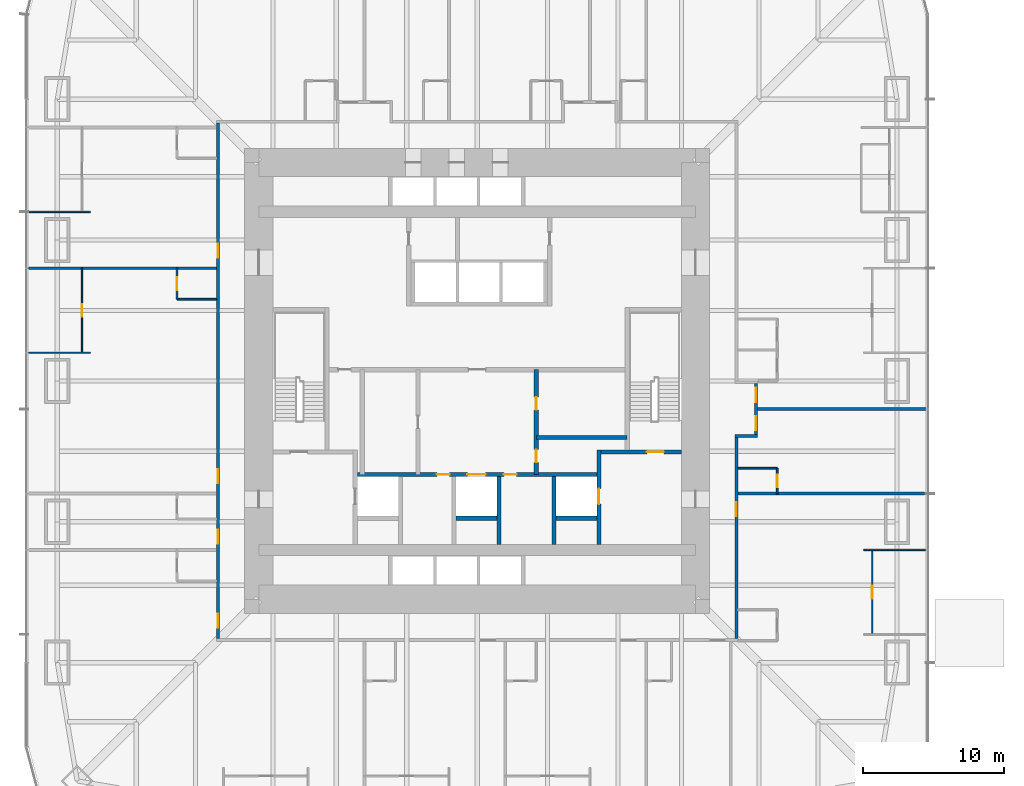
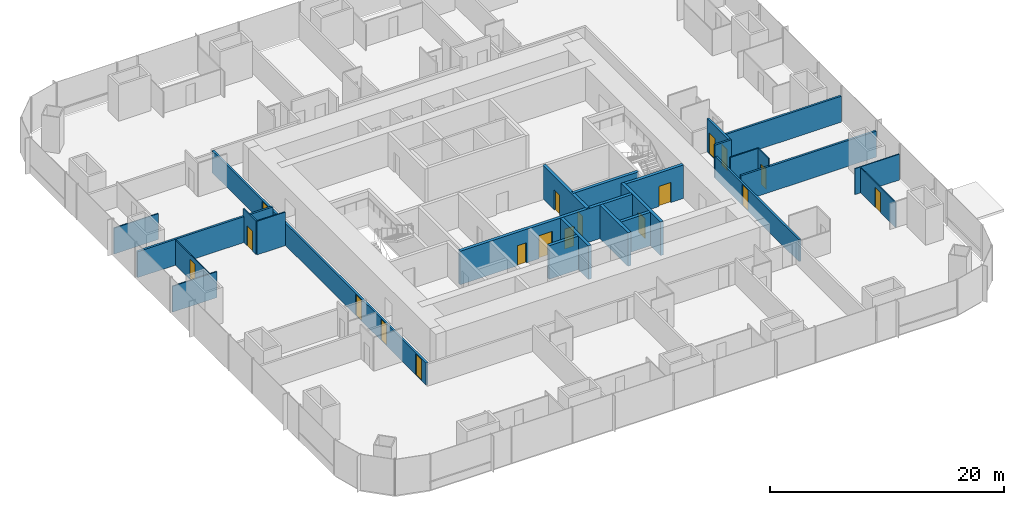
# One storey, part 16 of 20: 25 walls, 18 doors, 18 openings.
"""IFC4 building model written with IfcOpenShell, lengths in metres."""

from ifc_helpers import new_model, si_unit, direction, frame, frame_2d, origin, place, context, subcontext, project, spatial, rectangle, extrude, material, layer, layer_set, type_object, element, fill, save


model = new_model("IFC4")

# Units and contexts
model_context = context("Model", 3, precision=1e-05, world=origin(), true_north=direction((0.0, 1.0)))
body_context = subcontext(model_context, "Body", "Model", "MODEL_VIEW")
ifc_project = project(units=[si_unit("LENGTHUNIT", "METRE"), si_unit("AREAUNIT", "SQUARE_METRE"), si_unit("VOLUMEUNIT", "CUBIC_METRE"), si_unit("PLANEANGLEUNIT", "RADIAN"), si_unit("MASSUNIT", "GRAM", prefix="KILO")], contexts=[model_context])

# Site, building, storey
site_placement = place(None, origin())
site = spatial("IfcSite", under=ifc_project, at=site_placement, CompositionType="ELEMENT")
building_placement = place(site_placement, origin())
building = spatial("IfcBuilding", under=site, at=building_placement, Name="Khuree Lantern Residences", CompositionType="ELEMENT")
storey_placement = place(building_placement, frame((0.0, 0.0, 24.75)))
storey = spatial("IfcBuildingStorey", under=building, at=storey_placement, Name="L05", CompositionType="ELEMENT", Elevation=24.75)

# Wall, opening, door
ifc_material_1 = material(Name="Moisture-resistant gypsum board on steel studs", Category="steel")
ifc_layer_1 = layer(ifc_material_1, 0.125)
ifc_layer_set_1 = layer_set([ifc_layer_1], Name="BATHROOM WALL BTW125")
wall_type_1 = type_object("IfcWallType", Name="BATHROOM WALL BTW125", PredefinedType="PARTITIONING", material=ifc_layer_set_1)
wall_1_placement = place(storey_placement, frame((21.300048828125, -8.0, 0.0), z_axis=(0.0, 0.0, 1.0), x_axis=(0.0, 1.0, 0.0)))
wall_1 = element("IfcWall", 1, at=wall_1_placement, inside=storey, type_object=wall_type_1, Name="L05 BATHROOM WALL 01", PredefinedType="PARTITIONING", context=body_context, shape_type="SweptSolid", body=[
    extrude(rectangle(XDim=1.800048828125, YDim=0.125, at=frame_2d((0.89990234375, 0.0))), origin(), (0.0, 0.0, 1.0), 3.5),
])
opening_1_placement = place(wall_1_placement, frame((0.449951171875, 0.0, 0.0)))
opening_1 = element("IfcOpeningElement", 2, at=opening_1_placement, cuts=wall_1, Name="Opening 05-022", PredefinedType="OPENING", context=body_context, shape_type="SweptSolid", body=[
    extrude(rectangle(XDim=0.89990234375, YDim=2.10009765625, at=frame_2d((0.449951171875, 1.050048828125))), frame((0.0, 0.072509765625, 0.0), z_axis=(0.0, -1.0, 0.0), x_axis=(1.0, 0.0, 0.0)), (0.0, 0.0, 1.0), 0.14501953125),
])
ifc_material_2 = material(Name="Timber door leaf in hardwood frame", Category="wood")
door_type_1 = type_object("IfcDoorType", Name="BATHROOM DOOR 900X2100", OperationType="SINGLE_SWING_LEFT", PredefinedType="DOOR", material=ifc_material_2)
door_1_placement = place(opening_1_placement, origin())
door_1 = element("IfcDoor", 3, at=door_1_placement, inside=storey, type_object=door_type_1, Name="Bathroom door 05-022", OperationType="SINGLE_SWING_LEFT", OverallHeight=2.10009765625, OverallWidth=0.89990234375, PredefinedType="DOOR", context=body_context, shape_type="SweptSolid", body=[
    extrude(rectangle(XDim=0.89990234375, YDim=2.10009765625, at=frame_2d((0.449951171875, 1.050048828125))), frame((0.0, 0.02490234375, 0.0), z_axis=(0.0, -1.0, 0.0), x_axis=(1.0, 0.0, 0.0)), (0.0, 0.0, 1.0), 0.050048828125),
])
fill(opening_1, door_1)

# Wall
wall_2_placement = place(storey_placement, frame((18.5, -6.199951171875, 0.0), z_axis=(0.0, 0.0, 1.0), x_axis=(1.0, 0.0, 0.0)))
element("IfcWall", 4, at=wall_2_placement, inside=storey, type_object=wall_type_1, Name="L05 BATHROOM WALL 01", PredefinedType="PARTITIONING", context=body_context, shape_type="SweptSolid", body=[
    extrude(rectangle(XDim=2.800048828125, YDim=0.125, at=frame_2d((1.39990234375, 0.0))), origin(), (0.0, 0.0, 1.0), 3.5),
])

# Wall, opening, door
wall_3_placement = place(storey_placement, frame((-21.300048828125, 8.0, 0.0), z_axis=(0.0, 0.0, 1.0), x_axis=(0.0, -1.0, 0.0)))
wall_3 = element("IfcWall", 5, at=wall_3_placement, inside=storey, type_object=wall_type_1, Name="L05 BATHROOM WALL 08", PredefinedType="PARTITIONING", context=body_context, shape_type="SweptSolid", body=[
    extrude(rectangle(XDim=2.199951171875, YDim=0.125, at=frame_2d((1.10009765625, 0.0))), origin(), (0.0, 0.0, 1.0), 3.5),
])
opening_2_placement = place(wall_3_placement, frame((0.64990234375, 0.0, 0.0)))
opening_2 = element("IfcOpeningElement", 6, at=opening_2_placement, cuts=wall_3, Name="Opening 05-046", PredefinedType="OPENING", context=body_context, shape_type="SweptSolid", body=[
    extrude(rectangle(XDim=0.89990234375, YDim=2.10009765625, at=frame_2d((0.449951171875, 1.050048828125))), frame((0.0, 0.072509765625, 0.0), z_axis=(0.0, -1.0, 0.0), x_axis=(1.0, 0.0, 0.0)), (0.0, 0.0, 1.0), 0.14501953125),
])
door_2_placement = place(opening_2_placement, origin())
door_2 = element("IfcDoor", 7, at=door_2_placement, inside=storey, type_object=door_type_1, Name="Bathroom door 05-046", OperationType="SINGLE_SWING_LEFT", OverallHeight=2.10009765625, OverallWidth=0.89990234375, PredefinedType="DOOR", context=body_context, shape_type="SweptSolid", body=[
    extrude(rectangle(XDim=0.89990234375, YDim=2.10009765625, at=frame_2d((0.449951171875, 1.050048828125))), frame((0.0, 0.02490234375, 0.0), z_axis=(0.0, -1.0, 0.0), x_axis=(1.0, 0.0, 0.0)), (0.0, 0.0, 1.0), 0.050048828125),
])
fill(opening_2, door_2)

# Wall
wall_4_placement = place(storey_placement, frame((-18.5, 5.800048828125, 0.0), z_axis=(0.0, 0.0, 1.0), x_axis=(-1.0, 0.0, 0.0)))
element("IfcWall", 8, at=wall_4_placement, inside=storey, type_object=wall_type_1, Name="L05 BATHROOM WALL 08", PredefinedType="PARTITIONING", context=body_context, shape_type="SweptSolid", body=[
    extrude(rectangle(XDim=2.800048828125, YDim=0.125, at=frame_2d((1.39990234375, 0.0))), origin(), (0.0, 0.0, 1.0), 3.5),
])

# Wall, opening, door
ifc_material_3 = material(Name="Dense concrete blockwork", Category="masonry")
ifc_layer_2 = layer(ifc_material_3, 0.300048828125)
ifc_layer_set_2 = layer_set([ifc_layer_2], Name="CORE PARTITION WALL CPW300 EI 120")
wall_type_2 = type_object("IfcWallType", Name="CORE PARTITION WALL CPW300 EI 120", PredefinedType="PARTITIONING", material=ifc_layer_set_2)
wall_5_placement = place(storey_placement, frame((8.64990234375, -11.60009765625, 0.0), z_axis=(0.0, 0.0, 1.0), x_axis=(0.0, 1.0, 0.0)))
wall_5 = element("IfcWall", 9, at=wall_5_placement, inside=storey, type_object=wall_type_2, Name="L05 CORE WALL FL2E", PredefinedType="PARTITIONING", context=body_context, shape_type="SweptSolid", body=[
    extrude(rectangle(XDim=6.7001953125, YDim=0.300048828125, at=frame_2d((3.35009765625, 0.0))), origin(), (0.0, 0.0, 1.0), 3.5),
])
opening_3_placement = place(wall_5_placement, frame((2.85009765625, 0.0, 0.0)))
opening_3 = element("IfcOpeningElement", 10, at=opening_3_placement, cuts=wall_5, Name="Opening 05-008", PredefinedType="OPENING", context=body_context, shape_type="SweptSolid", body=[
    extrude(rectangle(XDim=1.10009765625, YDim=2.10009765625, at=frame_2d((0.550048828125, 1.050048828125))), frame((0.0, 0.16015625, 0.0), z_axis=(0.0, -1.0, 0.0), x_axis=(1.0, 0.0, 0.0)), (0.0, 0.0, 1.0), 0.320068359375),
])
ifc_material_4 = material(Name="Stainless steel lift landing door", Category="steel")
door_type_2 = type_object("IfcDoorType", Name="LIFT LANDING DOOR 1100X2100 E 120", OperationType="DOUBLE_DOOR_SLIDING", PredefinedType="DOOR", material=ifc_material_4)
door_3_placement = place(opening_3_placement, origin())
door_3 = element("IfcDoor", 11, at=door_3_placement, inside=storey, type_object=door_type_2, Name="Landing door FL2 05-008", OperationType="DOUBLE_DOOR_SLIDING", OverallHeight=2.10009765625, OverallWidth=1.10009765625, PredefinedType="DOOR", context=body_context, shape_type="SweptSolid", body=[
    extrude(rectangle(XDim=1.10009765625, YDim=2.10009765625, at=frame_2d((0.550048828125, 1.050048828125))), frame((0.0, 0.02490234375, 0.0), z_axis=(0.0, -1.0, 0.0), x_axis=(1.0, 0.0, 0.0)), (0.0, 0.0, 1.0), 0.050048828125),
])
fill(opening_3, door_3)

# Wall, openings, doors
wall_6_placement = place(storey_placement, frame((-8.5, -6.64990234375, 0.0), z_axis=(0.0, 0.0, 1.0), x_axis=(1.0, 0.0, 0.0)))
wall_6 = element("IfcWall", 12, at=wall_6_placement, inside=storey, type_object=wall_type_2, Name="L05 CORE WALL FLROW", PredefinedType="PARTITIONING", context=body_context, shape_type="SweptSolid", body=[
    extrude(rectangle(XDim=17.0, YDim=0.300048828125, at=frame_2d((8.5, 0.0))), origin(), (0.0, 0.0, 1.0), 3.5),
])
opening_4_placement = place(wall_6_placement, frame((7.800048828125, 0.0, 0.0)))
opening_4 = element("IfcOpeningElement", 13, at=opening_4_placement, cuts=wall_6, Name="Opening 05-012", PredefinedType="OPENING", context=body_context, shape_type="SweptSolid", body=[
    extrude(rectangle(XDim=1.300048828125, YDim=2.39990234375, at=frame_2d((0.64990234375, 1.199951171875))), frame((0.0, 0.16015625, 0.0), z_axis=(0.0, -1.0, 0.0), x_axis=(1.0, 0.0, 0.0)), (0.0, 0.0, 1.0), 0.320068359375),
])
opening_5_placement = place(wall_6_placement, frame((5.64990234375, 0.0, 0.0)))
opening_5 = element("IfcOpeningElement", 14, at=opening_5_placement, cuts=wall_6, Name="Opening 05-014", PredefinedType="OPENING", context=body_context, shape_type="SweptSolid", body=[
    extrude(rectangle(XDim=0.89990234375, YDim=2.10009765625, at=frame_2d((0.449951171875, 1.050048828125))), frame((0.0, 0.16015625, 0.0), z_axis=(0.0, -1.0, 0.0), x_axis=(1.0, 0.0, 0.0)), (0.0, 0.0, 1.0), 0.320068359375),
])
opening_6_placement = place(wall_6_placement, frame((10.39990234375, 0.0, 0.0)))
opening_6 = element("IfcOpeningElement", 15, at=opening_6_placement, cuts=wall_6, Name="Opening 05-015", PredefinedType="OPENING", context=body_context, shape_type="SweptSolid", body=[
    extrude(rectangle(XDim=0.89990234375, YDim=2.10009765625, at=frame_2d((0.449951171875, 1.050048828125))), frame((0.0, 0.16015625, 0.0), z_axis=(0.0, -1.0, 0.0), x_axis=(1.0, 0.0, 0.0)), (0.0, 0.0, 1.0), 0.320068359375),
])
ifc_material_5 = material(Name="Steel door leaf in steel frame", Category="steel")
door_type_3 = type_object("IfcDoorType", Name="DOOR 900X2100 EI 60", OperationType="SINGLE_SWING_LEFT", PredefinedType="DOOR", material=ifc_material_5)
door_4_placement = place(opening_5_placement, origin())
door_4 = element("IfcDoor", 16, at=door_4_placement, inside=storey, type_object=door_type_3, Name="Refuse chute room door 05-014", OperationType="SINGLE_SWING_LEFT", OverallHeight=2.10009765625, OverallWidth=0.89990234375, PredefinedType="DOOR", context=body_context, shape_type="SweptSolid", body=[
    extrude(rectangle(XDim=0.89990234375, YDim=2.10009765625, at=frame_2d((0.449951171875, 1.050048828125))), frame((0.0, 0.02490234375, 0.0), z_axis=(0.0, -1.0, 0.0), x_axis=(1.0, 0.0, 0.0)), (0.0, 0.0, 1.0), 0.050048828125),
])
fill(opening_5, door_4)
door_type_4 = type_object("IfcDoorType", Name="DOOR 900X2100 EI 60 RIGHT HAND", OperationType="SINGLE_SWING_RIGHT", PredefinedType="DOOR", material=ifc_material_5)
door_5_placement = place(opening_6_placement, origin())
door_5 = element("IfcDoor", 17, at=door_5_placement, inside=storey, type_object=door_type_4, Name="Electrical and plumbing riser door 05-015", OperationType="SINGLE_SWING_RIGHT", OverallHeight=2.10009765625, OverallWidth=0.89990234375, PredefinedType="DOOR", context=body_context, shape_type="SweptSolid", body=[
    extrude(rectangle(XDim=0.89990234375, YDim=2.10009765625, at=frame_2d((0.449951171875, 1.050048828125))), frame((0.0, 0.02490234375, 0.0), z_axis=(0.0, -1.0, 0.0), x_axis=(1.0, 0.0, 0.0)), (0.0, 0.0, 1.0), 0.050048828125),
])
fill(opening_6, door_5)
door_type_5 = type_object("IfcDoorType", Name="LIFT LANDING DOOR 1300X2400 E 60", OperationType="DOUBLE_DOOR_SLIDING", PredefinedType="DOOR", material=ifc_material_4)
door_6_placement = place(opening_4_placement, origin())
door_6 = element("IfcDoor", 18, at=door_6_placement, inside=storey, type_object=door_type_5, Name="Landing door SL1 05-012", OperationType="DOUBLE_DOOR_SLIDING", OverallHeight=2.39990234375, OverallWidth=1.300048828125, PredefinedType="DOOR", context=body_context, shape_type="SweptSolid", body=[
    extrude(rectangle(XDim=1.300048828125, YDim=2.39990234375, at=frame_2d((0.64990234375, 1.199951171875))), frame((0.0, 0.02490234375, 0.0), z_axis=(0.0, -1.0, 0.0), x_axis=(1.0, 0.0, 0.0)), (0.0, 0.0, 1.0), 0.050048828125),
])
fill(opening_4, door_6)

# Walls
for number, where, z_axis, x_axis, name in (
    (19, (1.550048828125, -11.60009765625, 0.0), (0.0, 0.0, 1.0), (0.0, 1.0, 0.0), "L05 CORE WALL SL1E"),
    (20, (5.449951171875, -11.60009765625, 0.0), (0.0, 0.0, 1.0), (0.0, 1.0, 0.0), "L05 CORE WALL FL2W"),
):
    element("IfcWall", number, at=place(storey_placement, frame(where, z_axis=z_axis, x_axis=x_axis)), inside=storey, type_object=wall_type_2, Name=name, PredefinedType="PARTITIONING", context=body_context, shape_type="SweptSolid", body=[
        extrude(rectangle(XDim=4.800048828125, YDim=0.300048828125, at=frame_2d((2.39990234375, 0.0))), origin(), (0.0, 0.0, 1.0), 3.5),
    ])
for number, where, z_axis, x_axis, name in (
    (21, (-1.5, -9.75, 0.0), (0.0, 0.0, 1.0), (1.0, 0.0, 0.0), "L05 CORE WALL SL1S"),
    (22, (5.60009765625, -9.75, 0.0), (0.0, 0.0, 1.0), (1.0, 0.0, 0.0), "L05 CORE WALL FL2S"),
):
    element("IfcWall", number, at=place(storey_placement, frame(where, z_axis=z_axis, x_axis=x_axis)), inside=storey, type_object=wall_type_2, Name=name, PredefinedType="PARTITIONING", context=body_context, shape_type="SweptSolid", body=[
        extrude(rectangle(XDim=2.89990234375, YDim=0.300048828125, at=frame_2d((1.449951171875, 0.0))), origin(), (0.0, 0.0, 1.0), 3.5),
    ])

# Wall, openings, doors
wall_7_placement = place(storey_placement, frame((4.199951171875, -6.64990234375, 0.0), z_axis=(0.0, 0.0, 1.0), x_axis=(0.0, 1.0, 0.0)))
wall_7 = element("IfcWall", 23, at=wall_7_placement, inside=storey, type_object=wall_type_2, Name="L05 CORE WALL SVE", PredefinedType="PARTITIONING", context=body_context, shape_type="SweptSolid", body=[
    extrude(rectangle(XDim=7.449951171875, YDim=0.300048828125, at=frame_2d((3.72509765625, 0.0))), origin(), (0.0, 0.0, 1.0), 3.5),
])
opening_7_placement = place(wall_7_placement, frame((0.865966796875, 0.0, 0.0)))
opening_7 = element("IfcOpeningElement", 24, at=opening_7_placement, cuts=wall_7, Name="Opening 05-018", PredefinedType="OPENING", context=body_context, shape_type="SweptSolid", body=[
    extrude(rectangle(XDim=0.89990234375, YDim=2.10009765625, at=frame_2d((0.449951171875, 1.050048828125))), frame((0.0, 0.16015625, 0.0), z_axis=(0.0, -1.0, 0.0), x_axis=(1.0, 0.0, 0.0)), (0.0, 0.0, 1.0), 0.320068359375),
])
opening_8_placement = place(wall_7_placement, frame((4.591064453125, 0.0, 0.0)))
opening_8 = element("IfcOpeningElement", 25, at=opening_8_placement, cuts=wall_7, Name="Opening 05-019", PredefinedType="OPENING", context=body_context, shape_type="SweptSolid", body=[
    extrude(rectangle(XDim=0.89990234375, YDim=2.10009765625, at=frame_2d((0.449951171875, 1.050048828125))), frame((0.0, 0.16015625, 0.0), z_axis=(0.0, -1.0, 0.0), x_axis=(1.0, 0.0, 0.0)), (0.0, 0.0, 1.0), 0.320068359375),
])
door_type_6 = type_object("IfcDoorType", Name="DOOR 900X2100", OperationType="SINGLE_SWING_LEFT", PredefinedType="DOOR", material=ifc_material_2)
door_7_placement = place(opening_7_placement, origin())
door_7 = element("IfcDoor", 26, at=door_7_placement, inside=storey, type_object=door_type_6, Name="IT room door 05-018", OperationType="SINGLE_SWING_LEFT", OverallHeight=2.10009765625, OverallWidth=0.89990234375, PredefinedType="DOOR", context=body_context, shape_type="SweptSolid", body=[
    extrude(rectangle(XDim=0.89990234375, YDim=2.10009765625, at=frame_2d((0.449951171875, 1.050048828125))), frame((0.0, 0.02490234375, 0.0), z_axis=(0.0, -1.0, 0.0), x_axis=(1.0, 0.0, 0.0)), (0.0, 0.0, 1.0), 0.050048828125),
])
fill(opening_7, door_7)
door_type_7 = type_object("IfcDoorType", Name="DOOR 900X2100 RIGHT HAND", OperationType="SINGLE_SWING_RIGHT", PredefinedType="DOOR", material=ifc_material_2)
door_8_placement = place(opening_8_placement, origin())
door_8 = element("IfcDoor", 27, at=door_8_placement, inside=storey, type_object=door_type_7, Name="Residents' store door 05-019", OperationType="SINGLE_SWING_RIGHT", OverallHeight=2.10009765625, OverallWidth=0.89990234375, PredefinedType="DOOR", context=body_context, shape_type="SweptSolid", body=[
    extrude(rectangle(XDim=0.89990234375, YDim=2.10009765625, at=frame_2d((0.449951171875, 1.050048828125))), frame((0.0, 0.02490234375, 0.0), z_axis=(0.0, -1.0, 0.0), x_axis=(1.0, 0.0, 0.0)), (0.0, 0.0, 1.0), 0.050048828125),
])
fill(opening_8, door_8)

# Wall
wall_8_placement = place(storey_placement, frame((10.64990234375, -4.01806640625, 0.0), z_axis=(0.0, 0.0, 1.0), x_axis=(-1.0, 0.0, 0.0)))
element("IfcWall", 28, at=wall_8_placement, inside=storey, type_object=wall_type_2, Name="L05 CORE WALL EX", PredefinedType="PARTITIONING", context=body_context, shape_type="SweptSolid", body=[
    extrude(rectangle(XDim=6.449951171875, YDim=0.300048828125, at=frame_2d((3.22509765625, 0.0))), origin(), (0.0, 0.0, 1.0), 3.5),
])

# Wall, opening, door
ifc_material_6 = material(Name="Gypsum board on steel studs", Category="steel")
ifc_layer_3 = layer(ifc_material_6, 0.199951171875)
ifc_layer_set_3 = layer_set([ifc_layer_3], Name="CORRIDOR WALL CRW200 EI 60")
wall_type_3 = type_object("IfcWallType", Name="CORRIDOR WALL CRW200 EI 60", PredefinedType="PARTITIONING", material=ifc_layer_set_3)
wall_9_placement = place(storey_placement, frame((18.39990234375, -18.300048828125, 0.0), z_axis=(0.0, 0.0, 1.0), x_axis=(0.0, 1.0, 0.0)))
wall_9 = element("IfcWall", 29, at=wall_9_placement, inside=storey, type_object=wall_type_3, Name="L05 CORRIDOR WALL EAST 1", PredefinedType="PARTITIONING", context=body_context, shape_type="SweptSolid", body=[
    extrude(rectangle(XDim=14.300048828125, YDim=0.199951171875, at=frame_2d((7.14990234375, 0.0))), origin(), (0.0, 0.0, 1.0), 2.300048828125),
])
opening_9_placement = place(wall_9_placement, frame((8.699951171875, 0.0, 0.0)))
opening_9 = element("IfcOpeningElement", 30, at=opening_9_placement, cuts=wall_9, Name="Opening 05-063", PredefinedType="OPENING", context=body_context, shape_type="SweptSolid", body=[
    extrude(rectangle(XDim=1.0, YDim=2.199951171875, at=frame_2d((0.5, 1.10009765625))), frame((0.0, 0.10986328125, 0.0), z_axis=(0.0, -1.0, 0.0), x_axis=(1.0, 0.0, 0.0)), (0.0, 0.0, 1.0), 0.219970703125),
])
door_type_8 = type_object("IfcDoorType", Name="APARTMENT ENTRANCE DOOR 1000X2200 EI 30S", OperationType="SINGLE_SWING_LEFT", PredefinedType="DOOR", material=ifc_material_2)
door_9_placement = place(opening_9_placement, origin())
door_9 = element("IfcDoor", 31, at=door_9_placement, inside=storey, type_object=door_type_8, Name="Apartment 14 entrance door 05-063", OperationType="SINGLE_SWING_LEFT", OverallHeight=2.199951171875, OverallWidth=1.0, PredefinedType="DOOR", context=body_context, shape_type="SweptSolid", body=[
    extrude(rectangle(XDim=1.0, YDim=2.199951171875, at=frame_2d((0.5, 1.10009765625))), frame((0.0, 0.02490234375, 0.0), z_axis=(0.0, -1.0, 0.0), x_axis=(1.0, 0.0, 0.0)), (0.0, 0.0, 1.0), 0.050048828125),
])
fill(opening_9, door_9)

# Wall
wall_10_placement = place(storey_placement, frame((18.300048828125, -3.89990234375, 0.0), z_axis=(0.0, 0.0, 1.0), x_axis=(1.0, 0.0, 0.0)))
element("IfcWall", 32, at=wall_10_placement, inside=storey, type_object=wall_type_3, Name="L05 CORRIDOR ALCOVE WALL EAST", PredefinedType="PARTITIONING", context=body_context, shape_type="SweptSolid", body=[
    extrude(rectangle(XDim=1.599853515625, YDim=0.199951171875, at=frame_2d((0.7998046875, 0.0))), origin(), (0.0, 0.0, 1.0), 3.5),
])

# Wall, openings, doors
wall_11_placement = place(storey_placement, frame((19.800048828125, -3.800048828125, 0.0), z_axis=(0.0, 0.0, 1.0), x_axis=(0.0, 1.0, 0.0)))
wall_11 = element("IfcWall", 33, at=wall_11_placement, inside=storey, type_object=wall_type_3, Name="L05 CORRIDOR ALCOVE WALL EAST", PredefinedType="PARTITIONING", context=body_context, shape_type="SweptSolid", body=[
    extrude(rectangle(XDim=3.60009765625, YDim=0.199951171875, at=frame_2d((1.800048828125, 0.0))), origin(), (0.0, 0.0, 1.0), 3.5),
])
opening_10_placement = place(wall_11_placement, frame((0.300048828125, 0.0, 0.0)))
opening_10 = element("IfcOpeningElement", 34, at=opening_10_placement, cuts=wall_11, Name="Opening 05-023", PredefinedType="OPENING", context=body_context, shape_type="SweptSolid", body=[
    extrude(rectangle(XDim=1.0, YDim=2.199951171875, at=frame_2d((0.5, 1.10009765625))), frame((0.0, 0.10986328125, 0.0), z_axis=(0.0, -1.0, 0.0), x_axis=(1.0, 0.0, 0.0)), (0.0, 0.0, 1.0), 0.219970703125),
])
opening_11_placement = place(wall_11_placement, frame((2.300048828125, 0.0, 0.0)))
opening_11 = element("IfcOpeningElement", 35, at=opening_11_placement, cuts=wall_11, Name="Opening 05-031", PredefinedType="OPENING", context=body_context, shape_type="SweptSolid", body=[
    extrude(rectangle(XDim=1.0, YDim=2.199951171875, at=frame_2d((0.5, 1.10009765625))), frame((0.0, 0.10986328125, 0.0), z_axis=(0.0, -1.0, 0.0), x_axis=(1.0, 0.0, 0.0)), (0.0, 0.0, 1.0), 0.219970703125),
])
door_10_placement = place(opening_10_placement, origin())
door_10 = element("IfcDoor", 36, at=door_10_placement, inside=storey, type_object=door_type_8, Name="Apartment 01 entrance door 05-023", OperationType="SINGLE_SWING_LEFT", OverallHeight=2.199951171875, OverallWidth=1.0, PredefinedType="DOOR", context=body_context, shape_type="SweptSolid", body=[
    extrude(rectangle(XDim=1.0, YDim=2.199951171875, at=frame_2d((0.5, 1.10009765625))), frame((0.0, 0.02490234375, 0.0), z_axis=(0.0, -1.0, 0.0), x_axis=(1.0, 0.0, 0.0)), (0.0, 0.0, 1.0), 0.050048828125),
])
fill(opening_10, door_10)
door_type_9 = type_object("IfcDoorType", Name="APARTMENT ENTRANCE DOOR 1000X2200 EI 30S RIGHT HAND", OperationType="SINGLE_SWING_RIGHT", PredefinedType="DOOR", material=ifc_material_2)
door_11_placement = place(opening_11_placement, origin())
door_11 = element("IfcDoor", 37, at=door_11_placement, inside=storey, type_object=door_type_9, Name="Apartment 02 entrance door 05-031", OperationType="SINGLE_SWING_RIGHT", OverallHeight=2.199951171875, OverallWidth=1.0, PredefinedType="DOOR", context=body_context, shape_type="SweptSolid", body=[
    extrude(rectangle(XDim=1.0, YDim=2.199951171875, at=frame_2d((0.5, 1.10009765625))), frame((0.0, 0.02490234375, 0.0), z_axis=(0.0, -1.0, 0.0), x_axis=(1.0, 0.0, 0.0)), (0.0, 0.0, 1.0), 0.050048828125),
])
fill(opening_11, door_11)

wall_12_placement = place(storey_placement, frame((-18.39990234375, 18.300048828125, 0.0), z_axis=(0.0, 0.0, 1.0), x_axis=(0.0, -1.0, 0.0)))
wall_12 = element("IfcWall", 38, at=wall_12_placement, inside=storey, type_object=wall_type_3, Name="L05 CORRIDOR WALL WEST 1", PredefinedType="PARTITIONING", context=body_context, shape_type="SweptSolid", body=[
    extrude(rectangle(XDim=36.60009765625, YDim=0.199951171875, at=frame_2d((18.300048828125, 0.0))), origin(), (0.0, 0.0, 1.0), 2.300048828125),
])
opening_12_placement = place(wall_12_placement, frame((8.570068359375, 0.0, 0.0)))
opening_12 = element("IfcOpeningElement", 39, at=opening_12_placement, cuts=wall_12, Name="Opening 05-044", PredefinedType="OPENING", context=body_context, shape_type="SweptSolid", body=[
    extrude(rectangle(XDim=1.0, YDim=2.199951171875, at=frame_2d((0.5, 1.10009765625))), frame((0.0, 0.10986328125, 0.0), z_axis=(0.0, -1.0, 0.0), x_axis=(1.0, 0.0, 0.0)), (0.0, 0.0, 1.0), 0.219970703125),
])
opening_13_placement = place(wall_12_placement, frame((24.570068359375, 0.0, 0.0)))
opening_13 = element("IfcOpeningElement", 40, at=opening_13_placement, cuts=wall_12, Name="Opening 05-047", PredefinedType="OPENING", context=body_context, shape_type="SweptSolid", body=[
    extrude(rectangle(XDim=1.0, YDim=2.199951171875, at=frame_2d((0.5, 1.10009765625))), frame((0.0, 0.10986328125, 0.0), z_axis=(0.0, -1.0, 0.0), x_axis=(1.0, 0.0, 0.0)), (0.0, 0.0, 1.0), 0.219970703125),
])
opening_14_placement = place(wall_12_placement, frame((28.8701171875, 0.0, 0.0)))
opening_14 = element("IfcOpeningElement", 41, at=opening_14_placement, cuts=wall_12, Name="Opening 05-049", PredefinedType="OPENING", context=body_context, shape_type="SweptSolid", body=[
    extrude(rectangle(XDim=1.0, YDim=2.199951171875, at=frame_2d((0.5, 1.10009765625))), frame((0.0, 0.10986328125, 0.0), z_axis=(0.0, -1.0, 0.0), x_axis=(1.0, 0.0, 0.0)), (0.0, 0.0, 1.0), 0.219970703125),
])
opening_15_placement = place(wall_12_placement, frame((34.820068359375, 0.0, 0.0)))
opening_15 = element("IfcOpeningElement", 42, at=opening_15_placement, cuts=wall_12, Name="Opening 05-052", PredefinedType="OPENING", context=body_context, shape_type="SweptSolid", body=[
    extrude(rectangle(XDim=1.0, YDim=2.199951171875, at=frame_2d((0.5, 1.10009765625))), frame((0.0, 0.10986328125, 0.0), z_axis=(0.0, -1.0, 0.0), x_axis=(1.0, 0.0, 0.0)), (0.0, 0.0, 1.0), 0.219970703125),
])
door_12_placement = place(opening_12_placement, origin())
door_12 = element("IfcDoor", 43, at=door_12_placement, inside=storey, type_object=door_type_8, Name="Apartment 07 entrance door 05-044", OperationType="SINGLE_SWING_LEFT", OverallHeight=2.199951171875, OverallWidth=1.0, PredefinedType="DOOR", context=body_context, shape_type="SweptSolid", body=[
    extrude(rectangle(XDim=1.0, YDim=2.199951171875, at=frame_2d((0.5, 1.10009765625))), frame((0.0, 0.02490234375, 0.0), z_axis=(0.0, -1.0, 0.0), x_axis=(1.0, 0.0, 0.0)), (0.0, 0.0, 1.0), 0.050048828125),
])
fill(opening_12, door_12)
door_13_placement = place(opening_13_placement, origin())
door_13 = element("IfcDoor", 44, at=door_13_placement, inside=storey, type_object=door_type_8, Name="Apartment 08 entrance door 05-047", OperationType="SINGLE_SWING_LEFT", OverallHeight=2.199951171875, OverallWidth=1.0, PredefinedType="DOOR", context=body_context, shape_type="SweptSolid", body=[
    extrude(rectangle(XDim=1.0, YDim=2.199951171875, at=frame_2d((0.5, 1.10009765625))), frame((0.0, 0.02490234375, 0.0), z_axis=(0.0, -1.0, 0.0), x_axis=(1.0, 0.0, 0.0)), (0.0, 0.0, 1.0), 0.050048828125),
])
fill(opening_13, door_13)
door_14_placement = place(opening_14_placement, origin())
door_14 = element("IfcDoor", 45, at=door_14_placement, inside=storey, type_object=door_type_8, Name="Apartment 09 entrance door 05-049", OperationType="SINGLE_SWING_LEFT", OverallHeight=2.199951171875, OverallWidth=1.0, PredefinedType="DOOR", context=body_context, shape_type="SweptSolid", body=[
    extrude(rectangle(XDim=1.0, YDim=2.199951171875, at=frame_2d((0.5, 1.10009765625))), frame((0.0, 0.02490234375, 0.0), z_axis=(0.0, -1.0, 0.0), x_axis=(1.0, 0.0, 0.0)), (0.0, 0.0, 1.0), 0.050048828125),
])
fill(opening_14, door_14)
door_15_placement = place(opening_15_placement, origin())
door_15 = element("IfcDoor", 46, at=door_15_placement, inside=storey, type_object=door_type_9, Name="Apartment 10 entrance door 05-052", OperationType="SINGLE_SWING_RIGHT", OverallHeight=2.199951171875, OverallWidth=1.0, PredefinedType="DOOR", context=body_context, shape_type="SweptSolid", body=[
    extrude(rectangle(XDim=1.0, YDim=2.199951171875, at=frame_2d((0.5, 1.10009765625))), frame((0.0, 0.02490234375, 0.0), z_axis=(0.0, -1.0, 0.0), x_axis=(1.0, 0.0, 0.0)), (0.0, 0.0, 1.0), 0.050048828125),
])
fill(opening_15, door_15)

# Walls
ifc_layer_4 = layer(ifc_material_6, 0.199951171875)
ifc_layer_set_4 = layer_set([ifc_layer_4], Name="DEMISING WALL DMW200 EI 90")
wall_type_4 = type_object("IfcWallType", Name="DEMISING WALL DMW200 EI 90", PredefinedType="PARTITIONING", material=ifc_layer_set_4)
wall_13_placement = place(storey_placement, frame((18.5, -8.0, 0.0), z_axis=(0.0, 0.0, 1.0), x_axis=(1.0, 0.0, 0.0)))
element("IfcWall", 47, at=wall_13_placement, inside=storey, type_object=wall_type_4, Name="L05 DEMISING WALL 01", PredefinedType="PARTITIONING", context=body_context, shape_type="SweptSolid", body=[
    extrude(rectangle(XDim=13.35009765625, YDim=0.199951171875, at=frame_2d((6.675048828125, 0.0))), origin(), (0.0, 0.0, 1.0), 2.7099609375),
])
wall_14_placement = place(storey_placement, frame((19.89990234375, -2.0, 0.0), z_axis=(0.0, 0.0, 1.0), x_axis=(1.0, 0.0, 0.0)))
element("IfcWall", 48, at=wall_14_placement, inside=storey, type_object=wall_type_4, Name="L05 DEMISING WALL 02", PredefinedType="PARTITIONING", context=body_context, shape_type="SweptSolid", body=[
    extrude(rectangle(XDim=11.9501953125, YDim=0.199951171875, at=frame_2d((5.97509765625, 0.0))), origin(), (0.0, 0.0, 1.0), 2.7099609375),
])
wall_15_placement = place(storey_placement, frame((-18.5, 8.0, 0.0), z_axis=(0.0, 0.0, 1.0), x_axis=(-1.0, 0.0, 0.0)))
element("IfcWall", 49, at=wall_15_placement, inside=storey, type_object=wall_type_4, Name="L05 DEMISING WALL 08", PredefinedType="PARTITIONING", context=body_context, shape_type="SweptSolid", body=[
    extrude(rectangle(XDim=13.35009765625, YDim=0.199951171875, at=frame_2d((6.675048828125, 0.0))), origin(), (0.0, 0.0, 1.0), 2.7099609375),
])
ifc_layer_5 = layer(ifc_material_6, 0.10009765625)
ifc_layer_set_5 = layer_set([ifc_layer_5], Name="PARTITION PT100")
wall_type_5 = type_object("IfcWallType", Name="PARTITION PT100", PredefinedType="PARTITIONING", material=ifc_layer_set_5)
for number, where, z_axis, x_axis, name in (
    (50, (-27.449951171875, 12.0, 0.0), (0.0, 0.0, 1.0), (-1.0, 0.0, 0.0), "L05 PARTITION 07"),
    (51, (-27.449951171875, 2.0, 0.0), (0.0, 0.0, 1.0), (-1.0, 0.0, 0.0), "L05 PARTITION 08"),
    (52, (27.449951171875, -12.0, 0.0), (0.0, 0.0, 1.0), (1.0, 0.0, 0.0), "L05 PARTITION 14"),
):
    element("IfcWall", number, at=place(storey_placement, frame(where, z_axis=z_axis, x_axis=x_axis)), inside=storey, type_object=wall_type_5, Name=name, PredefinedType="PARTITIONING", context=body_context, shape_type="SweptSolid", body=[
        extrude(rectangle(XDim=4.400146484375, YDim=0.10009765625, at=frame_2d((2.2001953125, 0.0))), origin(), (0.0, 0.0, 1.0), 2.7099609375),
    ])

# Wall, opening, door
wall_16_placement = place(storey_placement, frame((-28.050048828125, 8.0, 0.0), z_axis=(0.0, 0.0, 1.0), x_axis=(0.0, -1.0, 0.0)))
wall_16 = element("IfcWall", 53, at=wall_16_placement, inside=storey, type_object=wall_type_5, Name="L05 PARTITION 08", PredefinedType="PARTITIONING", context=body_context, shape_type="SweptSolid", body=[
    extrude(rectangle(XDim=6.0, YDim=0.10009765625, at=frame_2d((3.0, 0.0))), origin(), (0.0, 0.0, 1.0), 2.610107421875),
])
opening_16_placement = place(wall_16_placement, frame((2.550048828125, 0.0, 0.0)))
opening_16 = element("IfcOpeningElement", 54, at=opening_16_placement, cuts=wall_16, Name="Opening 05-045", PredefinedType="OPENING", context=body_context, shape_type="SweptSolid", body=[
    extrude(rectangle(XDim=0.89990234375, YDim=2.10009765625, at=frame_2d((0.449951171875, 1.050048828125))), frame((0.0, 0.06005859375, 0.0), z_axis=(0.0, -1.0, 0.0), x_axis=(1.0, 0.0, 0.0)), (0.0, 0.0, 1.0), 0.1201171875),
])
door_type_10 = type_object("IfcDoorType", Name="BEDROOM DOOR 900X2100", OperationType="SINGLE_SWING_LEFT", PredefinedType="DOOR", material=ifc_material_2)
door_16_placement = place(opening_16_placement, origin())
door_16 = element("IfcDoor", 55, at=door_16_placement, inside=storey, type_object=door_type_10, Name="Bedroom door 05-045", OperationType="SINGLE_SWING_LEFT", OverallHeight=2.10009765625, OverallWidth=0.89990234375, PredefinedType="DOOR", context=body_context, shape_type="SweptSolid", body=[
    extrude(rectangle(XDim=0.89990234375, YDim=2.10009765625, at=frame_2d((0.449951171875, 1.050048828125))), frame((0.0, 0.02490234375, 0.0), z_axis=(0.0, -1.0, 0.0), x_axis=(1.0, 0.0, 0.0)), (0.0, 0.0, 1.0), 0.050048828125),
])
fill(opening_16, door_16)

wall_17_placement = place(storey_placement, frame((28.050048828125, -18.0, 0.0), z_axis=(0.0, 0.0, 1.0), x_axis=(0.0, 1.0, 0.0)))
wall_17 = element("IfcWall", 56, at=wall_17_placement, inside=storey, type_object=wall_type_5, Name="L05 PARTITION 14", PredefinedType="PARTITIONING", context=body_context, shape_type="SweptSolid", body=[
    extrude(rectangle(XDim=6.0, YDim=0.10009765625, at=frame_2d((3.0, 0.0))), origin(), (0.0, 0.0, 1.0), 2.610107421875),
])
opening_17_placement = place(wall_17_placement, frame((2.550048828125, 0.0, 0.0)))
opening_17 = element("IfcOpeningElement", 57, at=opening_17_placement, cuts=wall_17, Name="Opening 05-061", PredefinedType="OPENING", context=body_context, shape_type="SweptSolid", body=[
    extrude(rectangle(XDim=0.89990234375, YDim=2.10009765625, at=frame_2d((0.449951171875, 1.050048828125))), frame((0.0, 0.06005859375, 0.0), z_axis=(0.0, -1.0, 0.0), x_axis=(1.0, 0.0, 0.0)), (0.0, 0.0, 1.0), 0.1201171875),
])
door_17_placement = place(opening_17_placement, origin())
door_17 = element("IfcDoor", 58, at=door_17_placement, inside=storey, type_object=door_type_10, Name="Bedroom door 05-061", OperationType="SINGLE_SWING_LEFT", OverallHeight=2.10009765625, OverallWidth=0.89990234375, PredefinedType="DOOR", context=body_context, shape_type="SweptSolid", body=[
    extrude(rectangle(XDim=0.89990234375, YDim=2.10009765625, at=frame_2d((0.449951171875, 1.050048828125))), frame((0.0, 0.02490234375, 0.0), z_axis=(0.0, -1.0, 0.0), x_axis=(1.0, 0.0, 0.0)), (0.0, 0.0, 1.0), 0.050048828125),
])
fill(opening_17, door_17)

ifc_material_7 = material(Name="Concrete C50/60", Category="concrete")
ifc_layer_6 = layer(ifc_material_7, 0.300048828125)
ifc_layer_set_6 = layer_set([ifc_layer_6], Name="STAIR WALL SRW300 C50/60 REI 240")
wall_type_6 = type_object("IfcWallType", Name="STAIR WALL SRW300 C50/60 REI 240", PredefinedType="SOLIDWALL", material=ifc_layer_set_6)
wall_18_placement = place(storey_placement, frame((14.5, -5.050048828125, 0.0), z_axis=(0.0, 0.0, 1.0), x_axis=(-1.0, 0.0, 0.0)))
wall_18 = element("IfcWall", 59, at=wall_18_placement, inside=storey, type_object=wall_type_6, Name="L05 STAIR WALL ST2S", PredefinedType="SOLIDWALL", context=body_context, shape_type="SweptSolid", body=[
    extrude(rectangle(XDim=5.699951171875, YDim=0.300048828125, at=frame_2d((2.85009765625, 0.0))), origin(), (0.0, 0.0, 1.0), 3.5),
])
opening_18_placement = place(wall_18_placement, frame((1.25, 0.0, 0.0)))
opening_18 = element("IfcOpeningElement", 60, at=opening_18_placement, cuts=wall_18, Name="Opening 05-004", PredefinedType="OPENING", context=body_context, shape_type="SweptSolid", body=[
    extrude(rectangle(XDim=1.199951171875, YDim=2.10009765625, at=frame_2d((0.60009765625, 1.050048828125))), frame((0.0, 0.16015625, 0.0), z_axis=(0.0, -1.0, 0.0), x_axis=(1.0, 0.0, 0.0)), (0.0, 0.0, 1.0), 0.320068359375),
])
door_type_11 = type_object("IfcDoorType", Name="STAIR DOOR 1200X2100 EI 120", OperationType="SINGLE_SWING_LEFT", PredefinedType="DOOR", material=ifc_material_5)
door_18_placement = place(opening_18_placement, origin())
door_18 = element("IfcDoor", 61, at=door_18_placement, inside=storey, type_object=door_type_11, Name="Stair ST2 door 05-004", OperationType="SINGLE_SWING_LEFT", OverallHeight=2.10009765625, OverallWidth=1.199951171875, PredefinedType="DOOR", context=body_context, shape_type="SweptSolid", body=[
    extrude(rectangle(XDim=1.199951171875, YDim=2.10009765625, at=frame_2d((0.60009765625, 1.050048828125))), frame((0.0, 0.02490234375, 0.0), z_axis=(0.0, -1.0, 0.0), x_axis=(1.0, 0.0, 0.0)), (0.0, 0.0, 1.0), 0.050048828125),
])
fill(opening_18, door_18)

save(model, "model.ifc")
